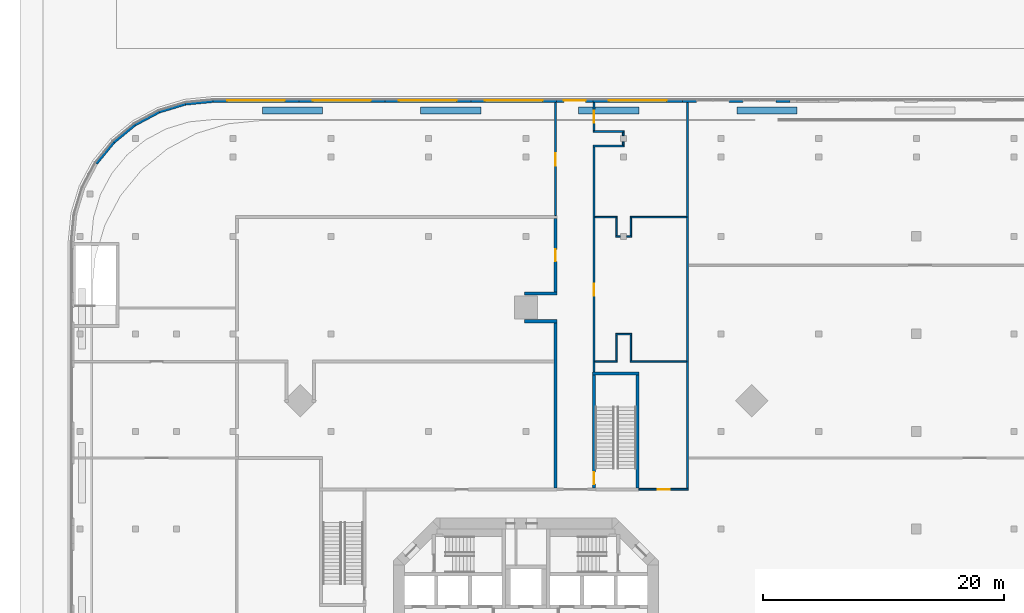
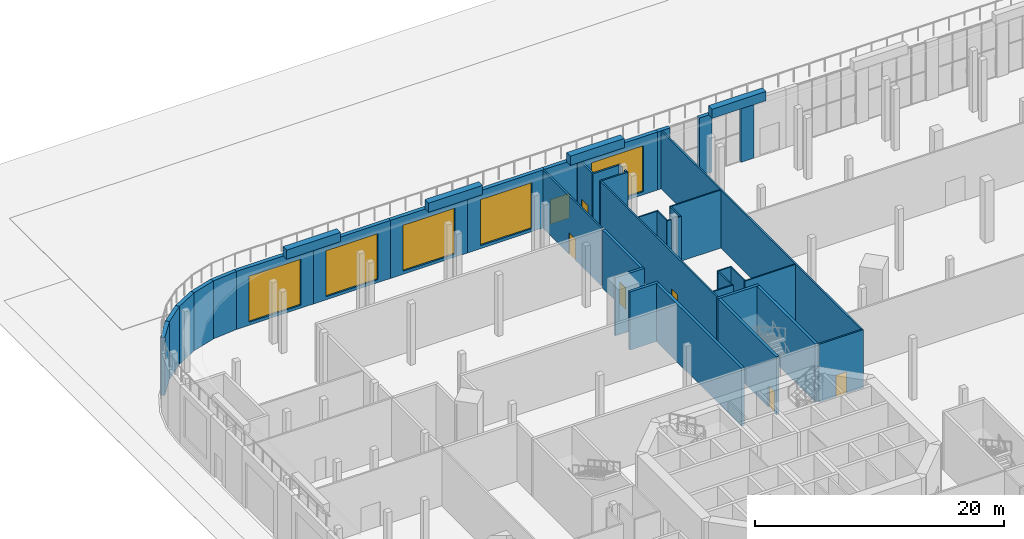
# One storey, part 21 of 32: 45 walls, 7 doors, 5 windows, 12 openings.
"""IFC4 building model written with IfcOpenShell, lengths in metres."""

import ifcopenshell
import ifcopenshell.guid

model = None  # the IFC model being written
_history = None  # IfcOwnerHistory: only IFC2X3 demands one
_inside = {}  # id of a spatial element -> (the spatial element, [elements in it])
_under = {}  # id of a project, library or spatial element -> (it, [spatial elements below it])
_declared = {}  # id of a project -> (the project, [libraries it declares])
_typed = {}  # id of a type object -> (the type object, [elements of that type])
_made_of = {}  # id of a material, layer set ... -> (it, [elements and type objects made of it])


def new_model(schema):
    """Start an empty IFC model of exactly this schema.

    Asked for "IFC4X3", IfcOpenShell would pick the latest addendum, in which some entities
    have other attributes; the version numbers below select the first issue.
    IFC2X3 requires an IfcOwnerHistory on every rooted entity: one is made here for all.
    """
    global model, _history
    if schema == "IFC4X3":
        model = ifcopenshell.file(schema_version=(4, 3, 0, 0))
    else:
        model = ifcopenshell.file(schema=schema)
    _inside.clear()
    _under.clear()
    _declared.clear()
    _typed.clear()
    _made_of.clear()
    _history = None
    if model.schema == "IFC2X3":
        org = make("IfcOrganization", Name="unknown")
        user = make(
            "IfcPersonAndOrganization",
            ThePerson=make("IfcPerson", FamilyName="unknown"),
            TheOrganization=org,
        )
        app = make(
            "IfcApplication",
            ApplicationDeveloper=org,
            Version="unknown",
            ApplicationFullName="unknown",
            ApplicationIdentifier="unknown",
        )
        _history = make(
            "IfcOwnerHistory",
            OwningUser=user,
            OwningApplication=app,
            ChangeAction="ADDED",
            CreationDate=0,
        )
    return model


def make(cls, **values):
    """One entity of the class cls with the attributes given. An attribute that is None is left unset."""
    return model.create_entity(
        cls, **{name: value for name, value in values.items() if value is not None}
    )


def rooted(cls, **values):
    """An entity with a GlobalId (a new one), such as an element, a storey or a relation."""
    return make(cls, GlobalId=ifcopenshell.guid.new(), OwnerHistory=_history, **values)


def si_unit(unit_type, name, prefix=None):
    """IfcSIUnit, for example si_unit("LENGTHUNIT", "METRE", prefix="MILLI")."""
    return make("IfcSIUnit", UnitType=unit_type, Prefix=prefix, Name=name)


def assignment(units):
    """IfcUnitAssignment: the units of a project."""
    return None if units is None else make("IfcUnitAssignment", Units=units)


def point(xyz):
    """IfcCartesianPoint."""
    return None if xyz is None else make("IfcCartesianPoint", Coordinates=xyz)


def direction(xyz):
    """IfcDirection."""
    return None if xyz is None else make("IfcDirection", DirectionRatios=xyz)


def frame(location, z_axis=None, x_axis=None):
    """IfcAxis2Placement3D, a coordinate frame: its origin and axes. An axis left out is left unset."""
    return make(
        "IfcAxis2Placement3D",
        Location=point(location),
        Axis=direction(z_axis),
        RefDirection=direction(x_axis),
    )


def frame_2d(location, x_axis=None):
    """IfcAxis2Placement2D, a coordinate frame in the plane: its origin and x axis."""
    return make(
        "IfcAxis2Placement2D", Location=point(location), RefDirection=direction(x_axis)
    )


def origin():
    """The frame at (0, 0, 0) with its axes left unset."""
    return frame((0.0, 0.0, 0.0))


def place(relative_to, where):
    """IfcLocalPlacement: puts the frame where relative to a parent placement (None: the world)."""
    return make(
        "IfcLocalPlacement", PlacementRelTo=relative_to, RelativePlacement=where
    )


def context(
    kind, dimensions, precision=None, world=None, true_north=None, identifier=None
):
    """IfcGeometricRepresentationContext, for example the 3D "Model" context."""
    return make(
        "IfcGeometricRepresentationContext",
        ContextIdentifier=identifier,
        ContextType=kind,
        CoordinateSpaceDimension=dimensions,
        Precision=precision,
        WorldCoordinateSystem=world,
        TrueNorth=true_north,
    )


def subcontext(parent, identifier, kind, view, scale=None):
    """IfcGeometricRepresentationSubContext, for example "Body" below "Model"."""
    return make(
        "IfcGeometricRepresentationSubContext",
        ContextIdentifier=identifier,
        ContextType=kind,
        ParentContext=parent,
        TargetScale=scale,
        TargetView=view,
    )


def project(units=None, contexts=None):
    """IfcProject with its units and contexts."""
    return rooted(
        "IfcProject",
        Name="project",
        RepresentationContexts=contexts,
        UnitsInContext=assignment(units),
    )


def spatial(cls, under=None, at=None, **own):
    """A site, building, storey or space (cls), placed at a placement, below another one or the project."""
    s = rooted(cls, ObjectPlacement=at, **own)
    if under is not None:
        _under.setdefault(under.id(), (under, []))[1].append(s)
    return s


def profile(cls, at=None, kind="AREA", **sizes):
    """A parametric profile (cls). Its sizes go by their IFC names, for example OverallWidth=200.0."""
    return make(cls, ProfileType=kind, Position=at, **sizes)


def rectangle(**sizes):
    """IfcRectangleProfileDef."""
    return profile("IfcRectangleProfileDef", **sizes)


def extrude(swept, where, along, depth):
    """IfcExtrudedAreaSolid: the profile swept, set in the frame where, extruded along a direction by depth."""
    return make(
        "IfcExtrudedAreaSolid",
        SweptArea=swept,
        Position=where,
        ExtrudedDirection=direction(along),
        Depth=depth,
    )


def shape(context_of_items, identifier, shape_type, items):
    """IfcShapeRepresentation: the items that make up one representation, for example the "Body"."""
    return make(
        "IfcShapeRepresentation",
        ContextOfItems=context_of_items,
        RepresentationIdentifier=identifier,
        RepresentationType=shape_type,
        Items=items,
    )


def material(Name=None, Category=None):
    """IfcMaterial."""
    return make("IfcMaterial", Name=Name, Category=Category)


def layer(
    of_material, thickness, ventilated=None, Name=None, Category=None, Priority=None
):
    """IfcMaterialLayer: one layer of a wall or slab, of a material (None: an air gap)."""
    return make(
        "IfcMaterialLayer",
        Material=of_material,
        LayerThickness=thickness,
        IsVentilated=ventilated,
        Name=Name,
        Category=Category,
        Priority=Priority,
    )


def layer_set(layers, Name=None):
    """IfcMaterialLayerSet."""
    return make("IfcMaterialLayerSet", MaterialLayers=layers, LayerSetName=Name)


def made_of(thing, what):
    """Note that an element or type object is made of a material, layer set ...; save() writes the relation."""
    if what is not None:
        _made_of.setdefault(what.id(), (what, []))[1].append(thing)
    return thing


def type_object(cls, material=None, **own):
    """A type object (cls), such as IfcWallType, which elements share."""
    return made_of(rooted(cls, **own), material)


def element(
    cls,
    number,
    at=None,
    inside=None,
    cuts=None,
    type_object=None,
    material=None,
    context=None,
    identifier="Body",
    shape_type=None,
    held_by="IfcProductDefinitionShape",
    body=None,
    shapes=None,
    **own,
):
    """One element of the class cls, such as IfcWall. Its Tag is "e" and its number.

    at: its placement. inside: the storey or other place that contains it. cuts: it is an
    opening in that element (IfcRelVoidsElement). A single representation is given by context,
    identifier, shape_type and body (its items); several are given by shapes. held_by: the class
    of the entity that holds the representations. save() writes the other relations.
    """
    e = rooted(cls, Tag="e%d" % number, ObjectPlacement=at, **own)
    if body is not None:
        shapes = [shape(context, identifier, shape_type, body)]
    if shapes is not None:
        e.Representation = make(held_by, Representations=shapes)
    if inside is not None:
        _inside.setdefault(inside.id(), (inside, []))[1].append(e)
    if cuts is not None:
        rooted(
            "IfcRelVoidsElement", RelatingBuildingElement=cuts, RelatedOpeningElement=e
        )
    if type_object is not None:
        _typed.setdefault(type_object.id(), (type_object, []))[1].append(e)
    return made_of(e, material)


def fill(opening, filler):
    """IfcRelFillsElement: the door or window that sits in an opening."""
    return rooted(
        "IfcRelFillsElement",
        RelatingOpeningElement=opening,
        RelatedBuildingElement=filler,
    )


def aggregate(whole, parts):
    """IfcRelAggregates: a whole, such as a stair, and the parts it consists of."""
    return rooted("IfcRelAggregates", RelatingObject=whole, RelatedObjects=parts)


def save(model, path):
    """Write the relations noted so far, then the file.

    IfcRelAggregates (storeys below a building ...), IfcRelContainedInSpatialStructure (elements
    in a storey), IfcRelDefinesByType, IfcRelAssociatesMaterial and IfcRelDeclares: one each for
    every whole, place, type object, material and project.
    """
    for whole, parts in _under.values():
        aggregate(whole, parts)
    for where, things in _inside.values():
        rooted(
            "IfcRelContainedInSpatialStructure",
            RelatedElements=things,
            RelatingStructure=where,
        )
    for kind, things in _typed.values():
        rooted("IfcRelDefinesByType", RelatedObjects=things, RelatingType=kind)
    for what, things in _made_of.values():
        rooted("IfcRelAssociatesMaterial", RelatedObjects=things, RelatingMaterial=what)
    for by, libraries in _declared.values():
        rooted("IfcRelDeclares", RelatingContext=by, RelatedDefinitions=libraries)
    model.write(path)


model = new_model("IFC4")

# Units and contexts
model_context = context("Model", 3, precision=1e-05, world=origin(), true_north=direction((0.0, 1.0)))
body_context = subcontext(model_context, "Body", "Model", "MODEL_VIEW")
ifc_project = project(units=[si_unit("LENGTHUNIT", "METRE"), si_unit("AREAUNIT", "SQUARE_METRE"), si_unit("VOLUMEUNIT", "CUBIC_METRE"), si_unit("PLANEANGLEUNIT", "RADIAN"), si_unit("MASSUNIT", "GRAM", prefix="KILO")], contexts=[model_context])

# Site, building, storey
site_placement = place(None, origin())
site = spatial("IfcSite", under=ifc_project, at=site_placement, CompositionType="ELEMENT")
building_placement = place(site_placement, origin())
building = spatial("IfcBuilding", under=site, at=building_placement, Name="Torre Triforio", CompositionType="ELEMENT")
storey_placement = place(building_placement, origin())
storey = spatial("IfcBuildingStorey", under=building, at=storey_placement, Name="L00", CompositionType="ELEMENT", Elevation=0.0)

# Walls
ifc_material_1 = material(Name="Plasterboard on metal studs")
ifc_layer_1 = layer(ifc_material_1, 0.14990234375)
ifc_layer_set_1 = layer_set([ifc_layer_1], Name="Plasterboard on metal studs")
wall_type_1 = type_object("IfcWallType", Name="Corridor wall 150 EI 60", PredefinedType="PARTITIONING", material=ifc_layer_set_1)
wall_1_placement = place(storey_placement, frame((13.39990234375, 11.47509765625, 0.0), z_axis=(0.0, 0.0, 1.0), x_axis=(0.0, 1.0, 0.0)))
element("IfcWall", 1, at=wall_1_placement, inside=storey, type_object=wall_type_1, Name="Corridor wall L00 107", PredefinedType="PARTITIONING", context=body_context, shape_type="SweptSolid", body=[
    extrude(rectangle(XDim=32.02490234375, YDim=0.14990234375, at=frame_2d((16.012451171875, 0.0))), origin(), (0.0, 0.0, 1.0), 5.679931640625),
])
for number, where, z_axis, x_axis, name in (
    (2, (5.574951171875, 39.89990234375, 0.0), (0.0, 0.0, 1.0), (1.0, 0.0, 0.0), "Corridor wall L00 123"),
    (3, (5.574951171875, 41.10009765625, 0.0), (0.0, 0.0, 1.0), (1.0, 0.0, 0.0), "Corridor wall L00 124"),
):
    element("IfcWall", number, at=place(storey_placement, frame(where, z_axis=z_axis, x_axis=x_axis)), inside=storey, type_object=wall_type_1, Name=name, PredefinedType="PARTITIONING", context=body_context, shape_type="SweptSolid", body=[
        extrude(rectangle(XDim=2.580078125, YDim=0.14990234375, at=frame_2d((1.2900390625, 0.0))), origin(), (0.0, 0.0, 1.0), 5.679931640625),
    ])

# Wall, opening, door
wall_2_placement = place(storey_placement, frame((5.64990234375, 41.175048828125, 0.0), z_axis=(0.0, 0.0, 1.0), x_axis=(0.0, 1.0, 0.0)))
wall_2 = element("IfcWall", 4, at=wall_2_placement, inside=storey, type_object=wall_type_1, Name="Corridor wall L00 125", PredefinedType="PARTITIONING", context=body_context, shape_type="SweptSolid", body=[
    extrude(rectangle(XDim=2.324951171875, YDim=0.14990234375, at=frame_2d((1.16259765625, 0.0))), origin(), (0.0, 0.0, 1.0), 5.679931640625),
])
opening_1_placement = place(wall_2_placement, frame((0.64990234375, 0.0, 0.0)))
opening_1 = element("IfcOpeningElement", 5, at=opening_1_placement, cuts=wall_2, Name="Opening P0-19", PredefinedType="OPENING", context=body_context, shape_type="SweptSolid", body=[
    extrude(rectangle(XDim=1.0, YDim=2.10009765625, at=frame_2d((0.5, 1.050048828125))), frame((0.0, 0.0849609375, 0.0), z_axis=(0.0, -1.0, 0.0), x_axis=(1.0, 0.0, 0.0)), (0.0, 0.0, 1.0), 0.169921875),
])
ifc_material_2 = material(Name="Timber door leaf", Category="wood")
door_type_1 = type_object("IfcDoorType", Name="Single door 1000 x 2100 EI 30", OperationType="NOTDEFINED", PredefinedType="DOOR", material=ifc_material_2)
door_1_placement = place(opening_1_placement, origin())
door_1 = element("IfcDoor", 6, at=door_1_placement, inside=storey, type_object=door_type_1, Name="Door P0-19", OperationType="SINGLE_SWING_LEFT", OverallHeight=2.10009765625, OverallWidth=1.0, PredefinedType="DOOR", context=body_context, shape_type="SweptSolid", body=[
    extrude(rectangle(XDim=1.0, YDim=2.10009765625, at=frame_2d((0.5, 1.050048828125))), frame((0.0, 0.02490234375, 0.0), z_axis=(0.0, -1.0, 0.0), x_axis=(1.0, 0.0, 0.0)), (0.0, 0.0, 1.0), 0.050048828125),
])
fill(opening_1, door_1)

# Walls
for number, where, z_axis, x_axis, name in (
    (7, (8.080078125, 39.97509765625, 0.0), (0.0, 0.0, 1.0), (0.0, 1.0, 0.0), "Corridor wall L00 126"),
    (8, (8.080078125, 40.760009765625, 0.0), (0.0, 0.0, 1.0), (0.0, 1.0, 0.0), "Corridor wall L00 127"),
):
    element("IfcWall", number, at=place(storey_placement, frame(where, z_axis=z_axis, x_axis=x_axis)), inside=storey, type_object=wall_type_1, Name=name, PredefinedType="PARTITIONING", context=body_context, shape_type="SweptSolid", body=[
        extrude(rectangle(XDim=0.264892578125, YDim=0.14990234375, at=frame_2d((0.13232421875, 0.0))), origin(), (0.0, 0.0, 1.0), 5.679931640625),
    ])

# Wall, opening, door
wall_3_placement = place(storey_placement, frame((5.64990234375, 21.125, 0.0), z_axis=(0.0, 0.0, 1.0), x_axis=(0.0, 1.0, 0.0)))
wall_3 = element("IfcWall", 9, at=wall_3_placement, inside=storey, type_object=wall_type_1, Name="Corridor wall L00 129", PredefinedType="PARTITIONING", context=body_context, shape_type="SweptSolid", body=[
    extrude(rectangle(XDim=18.699951171875, YDim=0.14990234375, at=frame_2d((9.35009765625, 0.0))), origin(), (0.0, 0.0, 1.0), 5.679931640625),
])
opening_2_placement = place(wall_3_placement, frame((6.324951171875, 0.0, 0.0)))
opening_2 = element("IfcOpeningElement", 10, at=opening_2_placement, cuts=wall_3, Name="Opening P0-18", PredefinedType="OPENING", context=body_context, shape_type="SweptSolid", body=[
    extrude(rectangle(XDim=1.0, YDim=2.10009765625, at=frame_2d((0.5, 1.050048828125))), frame((0.0, 0.0849609375, 0.0), z_axis=(0.0, -1.0, 0.0), x_axis=(1.0, 0.0, 0.0)), (0.0, 0.0, 1.0), 0.169921875),
])
door_2_placement = place(opening_2_placement, origin())
door_2 = element("IfcDoor", 11, at=door_2_placement, inside=storey, type_object=door_type_1, Name="Door P0-18", OperationType="SINGLE_SWING_LEFT", OverallHeight=2.10009765625, OverallWidth=1.0, PredefinedType="DOOR", context=body_context, shape_type="SweptSolid", body=[
    extrude(rectangle(XDim=1.0, YDim=2.10009765625, at=frame_2d((0.5, 1.050048828125))), frame((0.0, 0.02490234375, 0.0), z_axis=(0.0, -1.0, 0.0), x_axis=(1.0, 0.0, 0.0)), (0.0, 0.0, 1.0), 0.050048828125),
])
fill(opening_2, door_2)

wall_4_placement = place(storey_placement, frame((2.449951171875, 34.125, 0.0), z_axis=(0.0, 0.0, 1.0), x_axis=(0.0, 1.0, 0.0)))
wall_4 = element("IfcWall", 12, at=wall_4_placement, inside=storey, type_object=wall_type_1, Name="Corridor wall L00 130", PredefinedType="PARTITIONING", context=body_context, shape_type="SweptSolid", body=[
    extrude(rectangle(XDim=9.375, YDim=0.14990234375, at=frame_2d((4.6875, 0.0))), origin(), (0.0, 0.0, 1.0), 5.679931640625),
])
opening_3_placement = place(wall_4_placement, frame((4.14990234375, 0.0, 0.0)))
opening_3 = element("IfcOpeningElement", 13, at=opening_3_placement, cuts=wall_4, Name="Opening P0-31", PredefinedType="OPENING", context=body_context, shape_type="SweptSolid", body=[
    extrude(rectangle(XDim=1.0, YDim=2.10009765625, at=frame_2d((0.5, 1.050048828125))), frame((0.0, 0.0849609375, 0.0), z_axis=(0.0, -1.0, 0.0), x_axis=(1.0, 0.0, 0.0)), (0.0, 0.0, 1.0), 0.169921875),
])
door_3_placement = place(opening_3_placement, origin())
door_3 = element("IfcDoor", 14, at=door_3_placement, inside=storey, type_object=door_type_1, Name="Door P0-31", OperationType="SINGLE_SWING_LEFT", OverallHeight=2.10009765625, OverallWidth=1.0, PredefinedType="DOOR", context=body_context, shape_type="SweptSolid", body=[
    extrude(rectangle(XDim=1.0, YDim=2.10009765625, at=frame_2d((0.5, 1.050048828125))), frame((0.0, 0.02490234375, 0.0), z_axis=(0.0, -1.0, 0.0), x_axis=(1.0, 0.0, 0.0)), (0.0, 0.0, 1.0), 0.050048828125),
])
fill(opening_3, door_3)

wall_5_placement = place(storey_placement, frame((9.375, 11.39990234375, 0.0), z_axis=(0.0, 0.0, 1.0), x_axis=(1.0, 0.0, 0.0)))
wall_5 = element("IfcWall", 15, at=wall_5_placement, inside=storey, type_object=wall_type_1, Name="Corridor wall L00 153", PredefinedType="PARTITIONING", context=body_context, shape_type="SweptSolid", body=[
    extrude(rectangle(XDim=4.10009765625, YDim=0.14990234375, at=frame_2d((2.050048828125, 0.0))), origin(), (0.0, 0.0, 1.0), 5.679931640625),
])
opening_4_placement = place(wall_5_placement, frame((1.550048828125, 0.0, 0.0)))
opening_4 = element("IfcOpeningElement", 16, at=opening_4_placement, cuts=wall_5, Name="Opening P0-17", PredefinedType="OPENING", context=body_context, shape_type="SweptSolid", body=[
    extrude(rectangle(XDim=1.0, YDim=2.10009765625, at=frame_2d((0.5, 1.050048828125))), frame((0.0, 0.0849609375, 0.0), z_axis=(0.0, -1.0, 0.0), x_axis=(1.0, 0.0, 0.0)), (0.0, 0.0, 1.0), 0.169921875),
])
door_4_placement = place(opening_4_placement, origin())
door_4 = element("IfcDoor", 17, at=door_4_placement, inside=storey, type_object=door_type_1, Name="Door P0-17", OperationType="SINGLE_SWING_LEFT", OverallHeight=2.10009765625, OverallWidth=1.0, PredefinedType="DOOR", context=body_context, shape_type="SweptSolid", body=[
    extrude(rectangle(XDim=1.0, YDim=2.10009765625, at=frame_2d((0.5, 1.050048828125))), frame((0.0, 0.02490234375, 0.0), z_axis=(0.0, -1.0, 0.0), x_axis=(1.0, 0.0, 0.0)), (0.0, 0.0, 1.0), 0.050048828125),
])
fill(opening_4, door_4)

# Walls
ifc_layer_2 = layer(ifc_material_1, 0.1201171875)
ifc_layer_set_2 = layer_set([ifc_layer_2], Name="Plasterboard on metal studs")
wall_type_2 = type_object("IfcWallType", Name="Partition 120", PredefinedType="PARTITIONING", material=ifc_layer_set_2)
wall_6_placement = place(storey_placement, frame((7.43994140625, 32.39990234375, 0.0), z_axis=(0.0, 0.0, 1.0), x_axis=(1.0, 0.0, 0.0)))
element("IfcWall", 18, at=wall_6_placement, inside=storey, type_object=wall_type_2, Name="Partition L00 111", PredefinedType="PARTITIONING", context=body_context, shape_type="SweptSolid", body=[
    extrude(rectangle(XDim=0.400146484375, YDim=0.1201171875, at=frame_2d((0.2001953125, 0.0))), origin(), (0.0, 0.0, 1.0), 5.679931640625),
])
wall_7_placement = place(storey_placement, frame((8.360107421875, 32.39990234375, 0.0), z_axis=(0.0, 0.0, 1.0), x_axis=(1.0, 0.0, 0.0)))
element("IfcWall", 19, at=wall_7_placement, inside=storey, type_object=wall_type_2, Name="Partition L00 112", PredefinedType="PARTITIONING", context=body_context, shape_type="SweptSolid", body=[
    extrude(rectangle(XDim=0.39990234375, YDim=0.1201171875, at=frame_2d((0.199951171875, 0.0))), origin(), (0.0, 0.0, 1.0), 5.679931640625),
])
wall_8_placement = place(storey_placement, frame((5.72509765625, 34.0, 0.0), z_axis=(0.0, 0.0, 1.0), x_axis=(1.0, 0.0, 0.0)))
element("IfcWall", 20, at=wall_8_placement, inside=storey, type_object=wall_type_2, Name="Partition L00 113", PredefinedType="PARTITIONING", context=body_context, shape_type="SweptSolid", body=[
    extrude(rectangle(XDim=1.8349609375, YDim=0.1201171875, at=frame_2d((0.91748046875, 0.0))), origin(), (0.0, 0.0, 1.0), 5.679931640625),
])
wall_9_placement = place(storey_placement, frame((8.639892578125, 34.0, 0.0), z_axis=(0.0, 0.0, 1.0), x_axis=(1.0, 0.0, 0.0)))
element("IfcWall", 21, at=wall_9_placement, inside=storey, type_object=wall_type_2, Name="Partition L00 114", PredefinedType="PARTITIONING", context=body_context, shape_type="SweptSolid", body=[
    extrude(rectangle(XDim=4.68505859375, YDim=0.1201171875, at=frame_2d((2.342529296875, 0.0))), origin(), (0.0, 0.0, 1.0), 5.679931640625),
])
for number, where, z_axis, x_axis, name in (
    (22, (7.5, 32.4599609375, 0.0), (0.0, 0.0, 1.0), (0.0, 1.0, 0.0), "Partition L00 115"),
    (23, (8.699951171875, 32.4599609375, 0.0), (0.0, 0.0, 1.0), (0.0, 1.0, 0.0), "Partition L00 116"),
):
    element("IfcWall", number, at=place(storey_placement, frame(where, z_axis=z_axis, x_axis=x_axis)), inside=storey, type_object=wall_type_2, Name=name, PredefinedType="PARTITIONING", context=body_context, shape_type="SweptSolid", body=[
        extrude(rectangle(XDim=1.47998046875, YDim=0.1201171875, at=frame_2d((0.739990234375, 0.0))), origin(), (0.0, 0.0, 1.0), 5.679931640625),
    ])
wall_10_placement = place(storey_placement, frame((5.72509765625, 22.0, 0.0), z_axis=(0.0, 0.0, 1.0), x_axis=(1.0, 0.0, 0.0)))
element("IfcWall", 24, at=wall_10_placement, inside=storey, type_object=wall_type_2, Name="Partition L00 117", PredefinedType="PARTITIONING", context=body_context, shape_type="SweptSolid", body=[
    extrude(rectangle(XDim=1.8349609375, YDim=0.1201171875, at=frame_2d((0.91748046875, 0.0))), origin(), (0.0, 0.0, 1.0), 5.679931640625),
])
wall_11_placement = place(storey_placement, frame((8.639892578125, 22.0, 0.0), z_axis=(0.0, 0.0, 1.0), x_axis=(1.0, 0.0, 0.0)))
element("IfcWall", 25, at=wall_11_placement, inside=storey, type_object=wall_type_2, Name="Partition L00 118", PredefinedType="PARTITIONING", context=body_context, shape_type="SweptSolid", body=[
    extrude(rectangle(XDim=4.68505859375, YDim=0.1201171875, at=frame_2d((2.342529296875, 0.0))), origin(), (0.0, 0.0, 1.0), 5.679931640625),
])
wall_12_placement = place(storey_placement, frame((7.43994140625, 24.280029296875, 0.0), z_axis=(0.0, 0.0, 1.0), x_axis=(1.0, 0.0, 0.0)))
element("IfcWall", 26, at=wall_12_placement, inside=storey, type_object=wall_type_2, Name="Partition L00 119", PredefinedType="PARTITIONING", context=body_context, shape_type="SweptSolid", body=[
    extrude(rectangle(XDim=1.320068359375, YDim=0.1201171875, at=frame_2d((0.66015625, 0.0))), origin(), (0.0, 0.0, 1.0), 5.679931640625),
])
for number, where, z_axis, x_axis, name in (
    (27, (7.5, 22.06005859375, 0.0), (0.0, 0.0, 1.0), (0.0, 1.0, 0.0), "Partition L00 120"),
    (28, (8.699951171875, 22.06005859375, 0.0), (0.0, 0.0, 1.0), (0.0, 1.0, 0.0), "Partition L00 121"),
):
    element("IfcWall", number, at=place(storey_placement, frame(where, z_axis=z_axis, x_axis=x_axis)), inside=storey, type_object=wall_type_2, Name=name, PredefinedType="PARTITIONING", context=body_context, shape_type="SweptSolid", body=[
        extrude(rectangle(XDim=2.159912109375, YDim=0.1201171875, at=frame_2d((1.080078125, 0.0))), origin(), (0.0, 0.0, 1.0), 5.679931640625),
    ])
ifc_material_3 = material(Name="Masonry block", Category="masonry")
ifc_layer_3 = layer(ifc_material_3, 0.25)
ifc_layer_set_3 = layer_set([ifc_layer_3], Name="Masonry block")
wall_type_3 = type_object("IfcWallType", Name="Plant room wall 250 EI 120", PredefinedType="PARTITIONING", material=ifc_layer_set_3)
for number, where, z_axis, x_axis, name in (
    (29, (-0.125, 25.35009765625, 0.0), (0.0, 0.0, 1.0), (1.0, 0.0, 0.0), "Plant room wall L00 059"),
    (30, (-0.125, 27.64990234375, 0.0), (0.0, 0.0, 1.0), (1.0, 0.0, 0.0), "Plant room wall L00 060"),
):
    element("IfcWall", number, at=place(storey_placement, frame(where, z_axis=z_axis, x_axis=x_axis)), inside=storey, type_object=wall_type_3, Name=name, PredefinedType="PARTITIONING", context=body_context, shape_type="SweptSolid", body=[
        extrude(rectangle(XDim=2.699951171875, YDim=0.25, at=frame_2d((1.35009765625, 0.0))), origin(), (0.0, 0.0, 1.0), 5.679931640625),
    ])

# Wall, opening, door
wall_13_placement = place(storey_placement, frame((2.449951171875, 27.77490234375, 0.0), z_axis=(0.0, 0.0, 1.0), x_axis=(0.0, 1.0, 0.0)))
wall_13 = element("IfcWall", 31, at=wall_13_placement, inside=storey, type_object=wall_type_3, Name="Plant room wall L00 061", PredefinedType="PARTITIONING", context=body_context, shape_type="SweptSolid", body=[
    extrude(rectangle(XDim=6.10009765625, YDim=0.25, at=frame_2d((3.050048828125, 0.0))), origin(), (0.0, 0.0, 1.0), 5.679931640625),
])
opening_5_placement = place(wall_13_placement, frame((2.550048828125, 0.0, 0.0)))
opening_5 = element("IfcOpeningElement", 32, at=opening_5_placement, cuts=wall_13, Name="Opening P0-30", PredefinedType="OPENING", context=body_context, shape_type="SweptSolid", body=[
    extrude(rectangle(XDim=1.0, YDim=2.10009765625, at=frame_2d((0.5, 1.050048828125))), frame((0.0, 0.135009765625, 0.0), z_axis=(0.0, -1.0, 0.0), x_axis=(1.0, 0.0, 0.0)), (0.0, 0.0, 1.0), 0.27001953125),
])
ifc_material_4 = material(Name="Hollow metal fire door leaf")
door_type_2 = type_object("IfcDoorType", Name="Fire door 1000 x 2100 EI 60", OperationType="NOTDEFINED", PredefinedType="DOOR", material=ifc_material_4)
door_5_placement = place(opening_5_placement, origin())
door_5 = element("IfcDoor", 33, at=door_5_placement, inside=storey, type_object=door_type_2, Name="Door P0-30", OperationType="SINGLE_SWING_LEFT", OverallHeight=2.10009765625, OverallWidth=1.0, PredefinedType="DOOR", context=body_context, shape_type="SweptSolid", body=[
    extrude(rectangle(XDim=1.0, YDim=2.10009765625, at=frame_2d((0.5, 1.050048828125))), frame((0.0, 0.02490234375, 0.0), z_axis=(0.0, -1.0, 0.0), x_axis=(1.0, 0.0, 0.0)), (0.0, 0.0, 1.0), 0.050048828125),
])
fill(opening_5, door_5)

# Wall
wall_14_placement = place(storey_placement, frame((2.449951171875, 11.52490234375, 0.0), z_axis=(0.0, 0.0, 1.0), x_axis=(0.0, 1.0, 0.0)))
element("IfcWall", 34, at=wall_14_placement, inside=storey, type_object=wall_type_3, Name="Plant room wall L00 084", PredefinedType="PARTITIONING", context=body_context, shape_type="SweptSolid", body=[
    extrude(rectangle(XDim=13.7001953125, YDim=0.25, at=frame_2d((6.85009765625, 0.0))), origin(), (0.0, 0.0, 1.0), 5.679931640625),
])

# Wall, opening, door
ifc_material_5 = material(Name="Concrete C40", Category="concrete")
ifc_layer_4 = layer(ifc_material_5, 0.25)
ifc_layer_set_4 = layer_set([ifc_layer_4], Name="Concrete C40")
wall_type_4 = type_object("IfcWallType", Name="Stair enclosure wall 250 EI 120", PredefinedType="STANDARD", material=ifc_layer_set_4)
wall_15_placement = place(storey_placement, frame((5.64990234375, 11.52490234375, 0.0), z_axis=(0.0, 0.0, 1.0), x_axis=(0.0, 1.0, 0.0)))
wall_15 = element("IfcWall", 35, at=wall_15_placement, inside=storey, type_object=wall_type_4, Name="Stair enclosure wall L00 122", PredefinedType="STANDARD", context=body_context, shape_type="SweptSolid", body=[
    extrude(rectangle(XDim=9.35009765625, YDim=0.25, at=frame_2d((4.675048828125, 0.0))), origin(), (0.0, 0.0, 1.0), 5.679931640625),
])
opening_6_placement = place(wall_15_placement, frame((0.300048828125, 0.0, 0.0)))
opening_6 = element("IfcOpeningElement", 36, at=opening_6_placement, cuts=wall_15, Name="Opening P0-04", PredefinedType="OPENING", context=body_context, shape_type="SweptSolid", body=[
    extrude(rectangle(XDim=1.0, YDim=2.10009765625, at=frame_2d((0.5, 1.050048828125))), frame((0.0, 0.135009765625, 0.0), z_axis=(0.0, -1.0, 0.0), x_axis=(1.0, 0.0, 0.0)), (0.0, 0.0, 1.0), 0.27001953125),
])
door_type_3 = type_object("IfcDoorType", Name="Stair door 1000 x 2100 EI 90", OperationType="NOTDEFINED", PredefinedType="DOOR", material=ifc_material_4)
door_6_placement = place(opening_6_placement, origin())
door_6 = element("IfcDoor", 37, at=door_6_placement, inside=storey, type_object=door_type_3, Name="Door P0-04", OperationType="SINGLE_SWING_LEFT", OverallHeight=2.10009765625, OverallWidth=1.0, PredefinedType="DOOR", context=body_context, shape_type="SweptSolid", body=[
    extrude(rectangle(XDim=1.0, YDim=2.10009765625, at=frame_2d((0.5, 1.050048828125))), frame((0.0, 0.02490234375, 0.0), z_axis=(0.0, -1.0, 0.0), x_axis=(1.0, 0.0, 0.0)), (0.0, 0.0, 1.0), 0.050048828125),
])
fill(opening_6, door_6)

# Walls
wall_16_placement = place(storey_placement, frame((5.52490234375, 21.0, 0.0), z_axis=(0.0, 0.0, 1.0), x_axis=(1.0, 0.0, 0.0)))
element("IfcWall", 38, at=wall_16_placement, inside=storey, type_object=wall_type_4, Name="Stair enclosure wall L00 141", PredefinedType="STANDARD", context=body_context, shape_type="SweptSolid", body=[
    extrude(rectangle(XDim=3.85009765625, YDim=0.25, at=frame_2d((1.925048828125, 0.0))), origin(), (0.0, 0.0, 1.0), 5.679931640625),
])
wall_17_placement = place(storey_placement, frame((9.25, 11.52490234375, 0.0), z_axis=(0.0, 0.0, 1.0), x_axis=(0.0, 1.0, 0.0)))
element("IfcWall", 39, at=wall_17_placement, inside=storey, type_object=wall_type_4, Name="Stair enclosure wall L00 142", PredefinedType="STANDARD", context=body_context, shape_type="SweptSolid", body=[
    extrude(rectangle(XDim=9.35009765625, YDim=0.25, at=frame_2d((4.675048828125, 0.0))), origin(), (0.0, 0.0, 1.0), 5.679931640625),
])
ifc_material_6 = material(Name="Limestone cladding", Category="masonry")
ifc_layer_5 = layer(ifc_material_6, 0.10009765625)
ifc_layer_6 = layer(ifc_material_5, 0.25)
ifc_layer_set_5 = layer_set([ifc_layer_5, ifc_layer_6], Name="Limestone cladding / Concrete C40")
wall_type_5 = type_object("IfcWallType", Name="Stone-clad podium wall 350", PredefinedType="STANDARD", material=ifc_layer_set_5)
for number, where, z_axis, x_axis, name in (
    (40, (21.89990234375, 43.675048828125, 0.0), (0.0, 0.0, 1.0), (-1.0, 0.0, 0.0), "External wall L00 e17.2.0.g0"),
    (41, (18.033203125, 43.675048828125, 0.0), (0.0, 0.0, 1.0), (-1.0, 0.0, 0.0), "External wall L00 e17.2.0.g1"),
):
    element("IfcWall", number, at=place(storey_placement, frame(where, z_axis=z_axis, x_axis=x_axis)), inside=storey, type_object=wall_type_5, Name=name, PredefinedType="STANDARD", context=body_context, shape_type="SweptSolid", body=[
        extrude(rectangle(XDim=1.16650390625, YDim=0.35009765625, at=frame_2d((0.583251953125, 0.0))), origin(), (0.0, 0.0, 1.0), 5.679931640625),
    ])
wall_18_placement = place(storey_placement, frame((14.166748046875, 43.675048828125, 0.0), z_axis=(0.0, 0.0, 1.0), x_axis=(-1.0, 0.0, 0.0)))
element("IfcWall", 42, at=wall_18_placement, inside=storey, type_object=wall_type_5, Name="External wall L00 e17.2.0.g2", PredefinedType="STANDARD", context=body_context, shape_type="SweptSolid", body=[
    extrude(rectangle(XDim=1.166748046875, YDim=0.35009765625, at=frame_2d((0.58349609375, 0.0))), origin(), (0.0, 0.0, 1.0), 5.679931640625),
])

# Wall, opening, window
wall_19_placement = place(storey_placement, frame((13.0, 43.675048828125, 0.0), z_axis=(0.0, 0.0, 1.0), x_axis=(-1.0, 0.0, 0.0)))
wall_19 = element("IfcWall", 43, at=wall_19_placement, inside=storey, type_object=wall_type_5, Name="External wall L00 e17.2.1.w0", PredefinedType="STANDARD", context=body_context, shape_type="SweptSolid", body=[
    extrude(rectangle(XDim=7.449951171875, YDim=0.35009765625, at=frame_2d((3.72509765625, 0.0))), origin(), (0.0, 0.0, 1.0), 5.679931640625),
])
opening_7_placement = place(wall_19_placement, frame((1.324951171875, 0.0, 0.300048828125)))
opening_7 = element("IfcOpeningElement", 44, at=opening_7_placement, cuts=wall_19, Name="Opening P0-W04", PredefinedType="OPENING", context=body_context, shape_type="SweptSolid", body=[
    extrude(rectangle(XDim=4.800048828125, YDim=4.5, at=frame_2d((2.39990234375, 2.25))), frame((0.0, 0.18505859375, 0.0), z_axis=(0.0, -1.0, 0.0), x_axis=(1.0, 0.0, 0.0)), (0.0, 0.0, 1.0), 0.3701171875),
])
ifc_material_7 = material(Name="Aluminium frame with clear laminated glazing", Category="aluminium")
window_type = type_object("IfcWindowType", Name="Shopfront window 4800 x 4500", PartitioningType="DOUBLE_PANEL_VERTICAL", PredefinedType="WINDOW", material=ifc_material_7)
window_1_placement = place(opening_7_placement, origin())
window_1 = element("IfcWindow", 45, at=window_1_placement, inside=storey, type_object=window_type, Name="Window L00 e17.2.1.w0", OverallHeight=4.5, OverallWidth=4.800048828125, PartitioningType="SINGLE_PANEL", PredefinedType="WINDOW", context=body_context, shape_type="SweptSolid", body=[
    extrude(rectangle(XDim=4.800048828125, YDim=4.5, at=frame_2d((2.39990234375, 2.25))), frame((0.0, 0.030029296875, 0.0), z_axis=(0.0, -1.0, 0.0), x_axis=(1.0, 0.0, 0.0)), (0.0, 0.0, 1.0), 0.06005859375),
])
fill(opening_7, window_1)

# Wall, opening, door
wall_20_placement = place(storey_placement, frame((5.550048828125, 43.675048828125, 0.0), z_axis=(0.0, 0.0, 1.0), x_axis=(-1.0, 0.0, 0.0)))
wall_20 = element("IfcWall", 46, at=wall_20_placement, inside=storey, type_object=wall_type_5, Name="External wall L00 e17.3", PredefinedType="STANDARD", context=body_context, shape_type="SweptSolid", body=[
    extrude(rectangle(XDim=3.0, YDim=0.35009765625, at=frame_2d((1.5, 0.0))), origin(), (0.0, 0.0, 1.0), 5.679931640625),
])
opening_8_placement = place(wall_20_placement, frame((0.60009765625, 0.0, 0.0)))
opening_8 = element("IfcOpeningElement", 47, at=opening_8_placement, cuts=wall_20, Name="Opening P0-46", PredefinedType="OPENING", context=body_context, shape_type="SweptSolid", body=[
    extrude(rectangle(XDim=1.800048828125, YDim=2.39990234375, at=frame_2d((0.89990234375, 1.199951171875))), frame((0.0, 0.18505859375, 0.0), z_axis=(0.0, -1.0, 0.0), x_axis=(1.0, 0.0, 0.0)), (0.0, 0.0, 1.0), 0.3701171875),
])
door_type_4 = type_object("IfcDoorType", Name="Service door 1800 x 2400", OperationType="NOTDEFINED", PredefinedType="DOOR", material=ifc_material_2)
door_7_placement = place(opening_8_placement, frame((1.800048828125, 0.0, 0.0), z_axis=(0.0, 0.0, 1.0), x_axis=(-1.0, 0.0, 0.0)))
door_7 = element("IfcDoor", 48, at=door_7_placement, inside=storey, type_object=door_type_4, Name="Door P0-46", OperationType="SINGLE_SWING_RIGHT", OverallHeight=2.39990234375, OverallWidth=1.800048828125, PredefinedType="DOOR", context=body_context, shape_type="SweptSolid", body=[
    extrude(rectangle(XDim=1.800048828125, YDim=2.39990234375, at=frame_2d((0.89990234375, 1.199951171875))), frame((0.0, 0.02490234375, 0.0), z_axis=(0.0, -1.0, 0.0), x_axis=(1.0, 0.0, 0.0)), (0.0, 0.0, 1.0), 0.050048828125),
])
fill(opening_8, door_7)

# Wall, opening, window
wall_21_placement = place(storey_placement, frame((2.550048828125, 43.675048828125, 0.0), z_axis=(0.0, 0.0, 1.0), x_axis=(-1.0, 0.0, 0.0)))
wall_21 = element("IfcWall", 49, at=wall_21_placement, inside=storey, type_object=wall_type_5, Name="External wall L00 e17.4.w0", PredefinedType="STANDARD", context=body_context, shape_type="SweptSolid", body=[
    extrude(rectangle(XDim=7.133544921875, YDim=0.35009765625, at=frame_2d((3.56689453125, 0.0))), origin(), (0.0, 0.0, 1.0), 5.679931640625),
])
opening_9_placement = place(wall_21_placement, frame((1.166748046875, 0.0, 0.300048828125)))
opening_9 = element("IfcOpeningElement", 50, at=opening_9_placement, cuts=wall_21, Name="Opening P0-W05", PredefinedType="OPENING", context=body_context, shape_type="SweptSolid", body=[
    extrude(rectangle(XDim=4.800048828125, YDim=4.5, at=frame_2d((2.39990234375, 2.25))), frame((0.0, 0.18505859375, 0.0), z_axis=(0.0, -1.0, 0.0), x_axis=(1.0, 0.0, 0.0)), (0.0, 0.0, 1.0), 0.3701171875),
])
window_2_placement = place(opening_9_placement, origin())
window_2 = element("IfcWindow", 51, at=window_2_placement, inside=storey, type_object=window_type, Name="Window L00 e17.4.w0", OverallHeight=4.5, OverallWidth=4.800048828125, PartitioningType="SINGLE_PANEL", PredefinedType="WINDOW", context=body_context, shape_type="SweptSolid", body=[
    extrude(rectangle(XDim=4.800048828125, YDim=4.5, at=frame_2d((2.39990234375, 2.25))), frame((0.0, 0.030029296875, 0.0), z_axis=(0.0, -1.0, 0.0), x_axis=(1.0, 0.0, 0.0)), (0.0, 0.0, 1.0), 0.06005859375),
])
fill(opening_9, window_2)

wall_22_placement = place(storey_placement, frame((-4.58349609375, 43.675048828125, 0.0), z_axis=(0.0, 0.0, 1.0), x_axis=(-1.0, 0.0, 0.0)))
wall_22 = element("IfcWall", 52, at=wall_22_placement, inside=storey, type_object=wall_type_5, Name="External wall L00 e17.4.w1", PredefinedType="STANDARD", context=body_context, shape_type="SweptSolid", body=[
    extrude(rectangle(XDim=7.133544921875, YDim=0.35009765625, at=frame_2d((3.56689453125, 0.0))), origin(), (0.0, 0.0, 1.0), 5.679931640625),
])
opening_10_placement = place(wall_22_placement, frame((1.166748046875, 0.0, 0.300048828125)))
opening_10 = element("IfcOpeningElement", 53, at=opening_10_placement, cuts=wall_22, Name="Opening P0-W06", PredefinedType="OPENING", context=body_context, shape_type="SweptSolid", body=[
    extrude(rectangle(XDim=4.800048828125, YDim=4.5, at=frame_2d((2.39990234375, 2.25))), frame((0.0, 0.18505859375, 0.0), z_axis=(0.0, -1.0, 0.0), x_axis=(1.0, 0.0, 0.0)), (0.0, 0.0, 1.0), 0.3701171875),
])
window_3_placement = place(opening_10_placement, origin())
window_3 = element("IfcWindow", 54, at=window_3_placement, inside=storey, type_object=window_type, Name="Window L00 e17.4.w1", OverallHeight=4.5, OverallWidth=4.800048828125, PartitioningType="SINGLE_PANEL", PredefinedType="WINDOW", context=body_context, shape_type="SweptSolid", body=[
    extrude(rectangle(XDim=4.800048828125, YDim=4.5, at=frame_2d((2.39990234375, 2.25))), frame((0.0, 0.030029296875, 0.0), z_axis=(0.0, -1.0, 0.0), x_axis=(1.0, 0.0, 0.0)), (0.0, 0.0, 1.0), 0.06005859375),
])
fill(opening_10, window_3)

wall_23_placement = place(storey_placement, frame((-11.717041015625, 43.675048828125, 0.0), z_axis=(0.0, 0.0, 1.0), x_axis=(-1.0, 0.0, 0.0)))
wall_23 = element("IfcWall", 55, at=wall_23_placement, inside=storey, type_object=wall_type_5, Name="External wall L00 e17.4.w2", PredefinedType="STANDARD", context=body_context, shape_type="SweptSolid", body=[
    extrude(rectangle(XDim=7.133544921875, YDim=0.35009765625, at=frame_2d((3.56689453125, 0.0))), origin(), (0.0, 0.0, 1.0), 5.679931640625),
])
opening_11_placement = place(wall_23_placement, frame((1.166748046875, 0.0, 0.300048828125)))
opening_11 = element("IfcOpeningElement", 56, at=opening_11_placement, cuts=wall_23, Name="Opening P0-W07", PredefinedType="OPENING", context=body_context, shape_type="SweptSolid", body=[
    extrude(rectangle(XDim=4.800048828125, YDim=4.5, at=frame_2d((2.39990234375, 2.25))), frame((0.0, 0.18505859375, 0.0), z_axis=(0.0, -1.0, 0.0), x_axis=(1.0, 0.0, 0.0)), (0.0, 0.0, 1.0), 0.3701171875),
])
window_4_placement = place(opening_11_placement, origin())
window_4 = element("IfcWindow", 57, at=window_4_placement, inside=storey, type_object=window_type, Name="Window L00 e17.4.w2", OverallHeight=4.5, OverallWidth=4.800048828125, PartitioningType="SINGLE_PANEL", PredefinedType="WINDOW", context=body_context, shape_type="SweptSolid", body=[
    extrude(rectangle(XDim=4.800048828125, YDim=4.5, at=frame_2d((2.39990234375, 2.25))), frame((0.0, 0.030029296875, 0.0), z_axis=(0.0, -1.0, 0.0), x_axis=(1.0, 0.0, 0.0)), (0.0, 0.0, 1.0), 0.06005859375),
])
fill(opening_11, window_4)

wall_24_placement = place(storey_placement, frame((-18.8505859375, 43.675048828125, 0.0), z_axis=(0.0, 0.0, 1.0), x_axis=(-1.0, 0.0, 0.0)))
wall_24 = element("IfcWall", 58, at=wall_24_placement, inside=storey, type_object=wall_type_5, Name="External wall L00 e17.4.w3", PredefinedType="STANDARD", context=body_context, shape_type="SweptSolid", body=[
    extrude(rectangle(XDim=7.13330078125, YDim=0.35009765625, at=frame_2d((3.566650390625, 0.0))), origin(), (0.0, 0.0, 1.0), 5.679931640625),
])
opening_12_placement = place(wall_24_placement, frame((1.166748046875, 0.0, 0.300048828125)))
opening_12 = element("IfcOpeningElement", 59, at=opening_12_placement, cuts=wall_24, Name="Opening P0-W08", PredefinedType="OPENING", context=body_context, shape_type="SweptSolid", body=[
    extrude(rectangle(XDim=4.800048828125, YDim=4.5, at=frame_2d((2.39990234375, 2.25))), frame((0.0, 0.18505859375, 0.0), z_axis=(0.0, -1.0, 0.0), x_axis=(1.0, 0.0, 0.0)), (0.0, 0.0, 1.0), 0.3701171875),
])
window_5_placement = place(opening_12_placement, origin())
window_5 = element("IfcWindow", 60, at=window_5_placement, inside=storey, type_object=window_type, Name="Window L00 e17.4.w3", OverallHeight=4.5, OverallWidth=4.800048828125, PartitioningType="SINGLE_PANEL", PredefinedType="WINDOW", context=body_context, shape_type="SweptSolid", body=[
    extrude(rectangle(XDim=4.800048828125, YDim=4.5, at=frame_2d((2.39990234375, 2.25))), frame((0.0, 0.030029296875, 0.0), z_axis=(0.0, -1.0, 0.0), x_axis=(1.0, 0.0, 0.0)), (0.0, 0.0, 1.0), 0.06005859375),
])
fill(opening_12, window_5)

# Walls
wall_25_placement = place(storey_placement, frame((-25.98388671875, 43.675048828125, 0.0), z_axis=(0.0, 0.0, 1.0), x_axis=(-0.995187085002, -0.097993192849, 0.0)))
element("IfcWall", 61, at=wall_25_placement, inside=storey, type_object=wall_type_5, Name="External wall L00 e18.0.w0", PredefinedType="STANDARD", context=body_context, shape_type="SweptSolid", body=[
    extrude(rectangle(XDim=2.304443359375, YDim=0.35009765625, at=frame_2d((1.15234375, 0.0))), origin(), (0.0, 0.0, 1.0), 5.679931640625),
])
wall_26_placement = place(storey_placement, frame((-28.27734375, 43.44921875, 0.0), z_axis=(0.0, 0.0, 1.0), x_axis=(-0.956940921075, -0.29028274763, 0.0)))
element("IfcWall", 62, at=wall_26_placement, inside=storey, type_object=wall_type_5, Name="External wall L00 e19.0.w0", PredefinedType="STANDARD", context=body_context, shape_type="SweptSolid", body=[
    extrude(rectangle(XDim=2.28857421875, YDim=0.35009765625, at=frame_2d((1.144287109375, 0.0))), origin(), (0.0, 0.0, 1.0), 5.679931640625),
])
for number, where, z_axis, x_axis, name in (
    (63, (-30.46728515625, 42.784912109375, 0.0), (0.0, 0.0, 1.0), (-0.881888841544, -0.47145739061, 0.0), "External wall L00 e20.0.w0"),
    (64, (-32.4853515625, 41.7060546875, 0.0), (0.0, 0.0, 1.0), (-0.773043858187, -0.634352578082, 0.0), "External wall L00 e21.0.w0"),
    (65, (-34.25439453125, 40.25439453125, 0.0), (0.0, 0.0, 1.0), (-0.634352578082, -0.773043858187, 0.0), "External wall L00 e22.0.w0"),
):
    element("IfcWall", number, at=place(storey_placement, frame(where, z_axis=z_axis, x_axis=x_axis)), inside=storey, type_object=wall_type_5, Name=name, PredefinedType="STANDARD", context=body_context, shape_type="SweptSolid", body=[
        extrude(rectangle(XDim=2.288330078125, YDim=0.35009765625, at=frame_2d((1.14404296875, 0.0))), origin(), (0.0, 0.0, 1.0), 5.679931640625),
    ])
ifc_layer_7 = layer(ifc_material_6, 0.10009765625)
ifc_layer_8 = layer(ifc_material_5, 0.5)
ifc_layer_set_6 = layer_set([ifc_layer_7, ifc_layer_8], Name="Limestone cladding / Concrete C40")
wall_type_6 = type_object("IfcWallType", Name="Terrace planter wall 600", PredefinedType="PARAPET", material=ifc_layer_set_6)
for number, where, z_axis, x_axis, name in (
    (66, (22.5, 42.85009765625, 6.0), (0.0, 0.0, 1.0), (-1.0, 0.0, 0.0), "Terrace T1 planter 18.4"),
    (67, (9.373291015625, 42.85009765625, 6.0), (0.0, 0.0, 1.0), (-1.0, 0.0, 0.0), "Terrace T1 planter 18.5"),
    (68, (-3.75341796875, 42.85009765625, 6.0), (0.0, 0.0, 1.0), (-1.0, 0.0, 0.0), "Terrace T1 planter 18.6"),
    (69, (-16.880126953125, 42.85009765625, 6.0), (0.0, 0.0, 1.0), (-1.0, 0.0, 0.0), "Terrace T1 planter 18.7"),
):
    element("IfcWall", number, at=place(storey_placement, frame(where, z_axis=z_axis, x_axis=x_axis)), inside=storey, type_object=wall_type_6, Name=name, PredefinedType="PARAPET", context=body_context, shape_type="SweptSolid", body=[
        extrude(rectangle(XDim=5.0, YDim=0.60009765625, at=frame_2d((2.5, 0.0))), origin(), (0.0, 0.0, 1.0), 0.89990234375),
    ])

save(model, "model.ifc")
